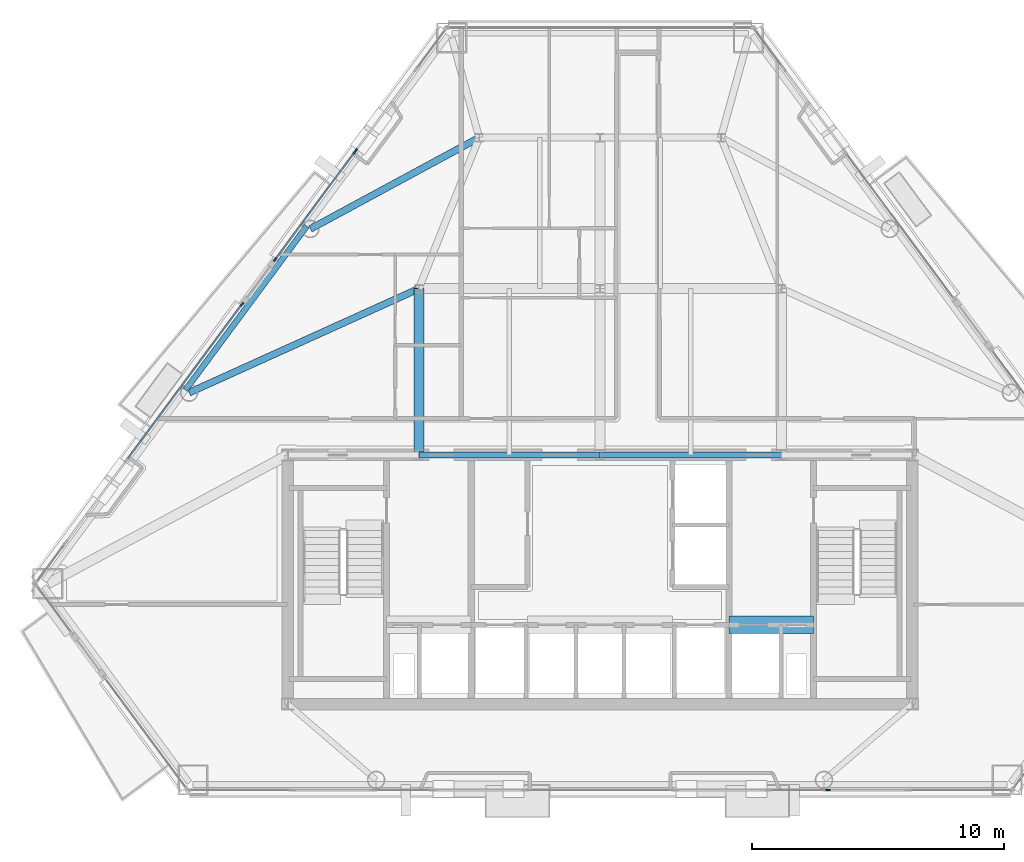
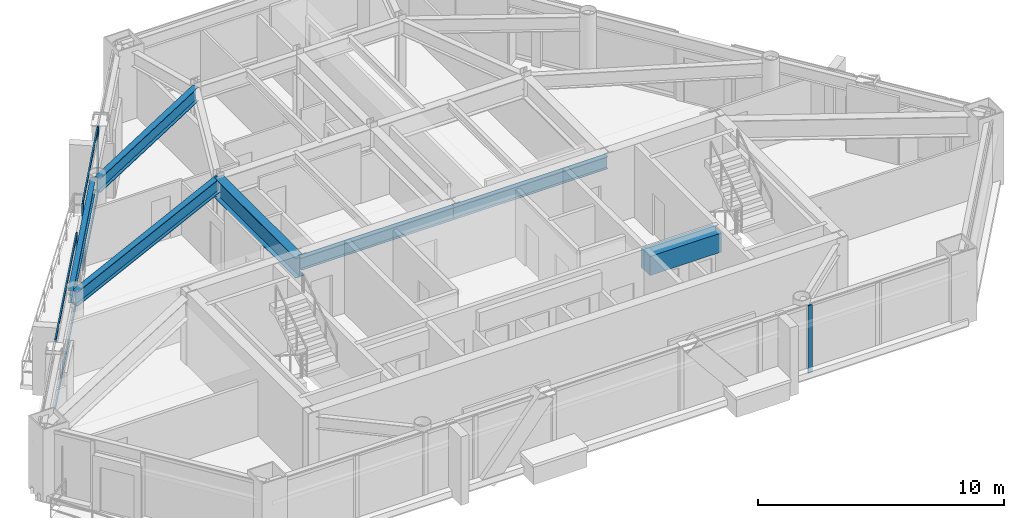
# One storey, part 4 of 13: 9 members, 7 beams, 4 elements without a shape of their own.
"""IFC4 building model written with IfcOpenShell, lengths in metres."""

from ifc_helpers import new_model, si_unit, direction, frame, origin, origin_2d, place, context, subcontext, project, spatial, rectangle, i_section, extrude, material, layer, layer_set, material_profile, profile_set, type_object, element, aggregate, save


model = new_model("IFC4")

# Units and contexts
model_context = context("Model", 3, precision=1e-05, world=origin(), true_north=direction((0.0, 1.0)))
body_context = subcontext(model_context, "Body", "Model", "MODEL_VIEW")
ifc_project = project(units=[si_unit("LENGTHUNIT", "METRE"), si_unit("AREAUNIT", "SQUARE_METRE"), si_unit("VOLUMEUNIT", "CUBIC_METRE"), si_unit("PLANEANGLEUNIT", "RADIAN"), si_unit("MASSUNIT", "GRAM", prefix="KILO")], contexts=[model_context])

# Site, building, storey
site_placement = place(None, origin())
site = spatial("IfcSite", under=ifc_project, at=site_placement, CompositionType="ELEMENT")
building_placement = place(site_placement, origin())
building = spatial("IfcBuilding", under=site, at=building_placement, Name="Talgorran Terracotta Tower", CompositionType="ELEMENT")
storey_placement = place(building_placement, frame((0.0, 0.0, 106.800048828125)))
storey = spatial("IfcBuildingStorey", under=building, at=storey_placement, Name="L27", CompositionType="ELEMENT", Elevation=106.800048828125)

# Beams
ifc_material_1 = material(Name="Steel Grade 350 (350L0)", Category="steel")
ifc_material_profile_1 = material_profile(ifc_material_1, i_section(OverallWidth=0.39990234375, OverallDepth=1.0, WebThickness=0.01611328125, FlangeThickness=0.031005859375, at=origin_2d()), Name="1000WB296")
ifc_profile_set_1 = profile_set([ifc_material_profile_1], Name="Steel Grade 350 (350L0)")
beam_type_1 = type_object("IfcBeamType", Name="BM_1000WB296", PredefinedType="BEAM", material=ifc_profile_set_1)
beam_1_placement = place(storey_placement, frame((-7.199951171875, -4.199951171875, 2.849853515625), z_axis=(0.0, 1.0, 0.0), x_axis=(-1.0, 0.0, 0.0)))
element("IfcBeam", 1, at=beam_1_placement, inside=storey, type_object=beam_type_1, Name="L27 Floor Girder G01", PredefinedType="BEAM", context=body_context, shape_type="SweptSolid", body=[
    extrude(i_section(OverallWidth=0.39990234375, OverallDepth=1.0, WebThickness=0.01611328125, FlangeThickness=0.031005859375, at=origin_2d()), origin(), (0.0, 0.0, 1.0), 6.599853515625),
])
ifc_material_2 = material(Name="Steel S355 (300PLUS)", Category="steel")
ifc_material_profile_2 = material_profile(ifc_material_2, i_section(OverallWidth=0.27490234375, OverallDepth=0.7080078125, WebThickness=0.011962890625, FlangeThickness=0.02490234375, at=origin_2d()), Name="700WB173")
ifc_profile_set_2 = profile_set([ifc_material_profile_2], Name="Steel S355 (300PLUS)")
beam_type_2 = type_object("IfcBeamType", Name="BM_700WB173", PredefinedType="BEAM", material=ifc_profile_set_2)
beam_2_placement = place(storey_placement, frame((-7.199951171875, 2.39990234375, 2.995849609375), z_axis=(-0.910987725051, -0.412433467126, 0.0), x_axis=(0.412433467126, -0.910987725051, 0.0)))
element("IfcBeam", 2, at=beam_2_placement, inside=storey, type_object=beam_type_2, Name="L27 Floor Girder G06", PredefinedType="BEAM", context=body_context, shape_type="SweptSolid", body=[
    extrude(i_section(OverallWidth=0.27490234375, OverallDepth=0.7080078125, WebThickness=0.011962890625, FlangeThickness=0.02490234375, at=origin_2d()), origin(), (0.0, 0.0, 1.0), 10.010009765625),
])
beam_3_placement = place(storey_placement, frame((-4.800048828125, 8.39990234375, 2.995849609375), z_axis=(-0.879686234895, -0.475554548013, 0.0), x_axis=(0.475554548013, -0.879686234895, 0.0)))
element("IfcBeam", 3, at=beam_3_placement, inside=storey, type_object=beam_type_2, Name="L27 Floor Girder G13", PredefinedType="BEAM", context=body_context, shape_type="SweptSolid", body=[
    extrude(i_section(OverallWidth=0.27490234375, OverallDepth=0.7080078125, WebThickness=0.011962890625, FlangeThickness=0.02490234375, at=origin_2d()), origin(), (0.0, 0.0, 1.0), 7.62255859375),
])
ifc_material_3 = material(Name="Concrete C65/80", Category="concrete")
ifc_material_profile_3 = material_profile(ifc_material_3, rectangle(XDim=0.699951171875, YDim=0.949951171875, at=origin_2d()), Name="RCCB700X950")
ifc_profile_set_3 = profile_set([ifc_material_profile_3], Name="Concrete C65/80")
beam_type_3 = type_object("IfcBeamType", Name="BM_CB_700X950", PredefinedType="LINTEL", material=ifc_profile_set_3)
beam_4_placement = place(storey_placement, frame((5.1201171875, -10.949951171875, 2.875), z_axis=(1.0, 0.0, 0.0), x_axis=(0.0, 1.0, 0.0)))
element("IfcBeam", 4, at=beam_4_placement, inside=storey, type_object=beam_type_3, Name="L27 Core Shear-Wall Coupling Beam CB3", PredefinedType="LINTEL", context=body_context, shape_type="SweptSolid", body=[
    extrude(rectangle(XDim=0.699951171875, YDim=0.949951171875, at=origin_2d()), origin(), (0.0, 0.0, 1.0), 3.35986328125),
])
ifc_material_profile_4 = material_profile(ifc_material_2, i_section(OverallWidth=0.22900390625, OverallDepth=0.611572265625, WebThickness=0.011962890625, FlangeThickness=0.01953125, at=origin_2d()), Name="610UB125")
ifc_profile_set_4 = profile_set([ifc_material_profile_4], Name="Steel S355 (300PLUS)")
beam_type_4 = type_object("IfcBeamType", Name="BM_SP_610UB125", PredefinedType="SPANDREL", material=ifc_profile_set_4)
beam_5_placement = place(storey_placement, frame((-11.650146484375, 4.882080078125, 3.044189453125), z_axis=(-0.594899157913, -0.803800343316, 0.0), x_axis=(0.803800343316, -0.594899157913, 0.0)))
element("IfcBeam", 5, at=beam_5_placement, inside=storey, type_object=beam_type_4, Name="L27 Perimeter Spandrel Beam FC5-FC6", PredefinedType="SPANDREL", context=body_context, shape_type="SweptSolid", body=[
    extrude(i_section(OverallWidth=0.22900390625, OverallDepth=0.611572265625, WebThickness=0.011962890625, FlangeThickness=0.01953125, at=origin_2d()), origin(), (0.0, 0.0, 1.0), 8.0908203125),
])
for number, where, z_axis, x_axis, name in (
    (6, (-7.199951171875, -4.199951171875, 3.044189453125), (1.0, 0.0, 0.0), (0.0, 1.0, 0.0), "L27 Core Frame Beam CFN2"),
    (7, (0.0, -4.199951171875, 3.044189453125), (1.0, 0.0, 0.0), (0.0, 1.0, 0.0), "L27 Core Frame Beam CFN3"),
):
    element("IfcBeam", number, at=place(storey_placement, frame(where, z_axis=z_axis, x_axis=x_axis)), inside=storey, type_object=beam_type_4, Name=name, PredefinedType="SPANDREL", context=body_context, shape_type="SweptSolid", body=[
        extrude(i_section(OverallWidth=0.22900390625, OverallDepth=0.611572265625, WebThickness=0.011962890625, FlangeThickness=0.01953125, at=origin_2d()), origin(), (0.0, 0.0, 1.0), 7.199951171875),
    ])

# Curtain wall, member
ifc_material_4 = material(Name="Unitised Low-E Double Glazing", Category="glass")
ifc_layer = layer(ifc_material_4, 0.199951171875, Name="CW_SYS2_RES_LOW")
ifc_layer_set = layer_set([ifc_layer], Name="Unitised Low-E Double Glazing")
curtain_wall_type = type_object("IfcCurtainWallType", Name="CW_SYS2_RES_LOW", PredefinedType="NOTDEFINED", material=ifc_layer_set)
curtain_wall_1_placement = place(storey_placement, origin())
curtain_wall_1 = element("IfcCurtainWall", 8, at=curtain_wall_1_placement, inside=storey, type_object=curtain_wall_type, Name="CW-L27-F1H", PredefinedType="NOTDEFINED")
ifc_material_5 = material(Name="Architectural Aluminium 6063-T6", Category="aluminium")
ifc_material_profile_5 = material_profile(ifc_material_5, rectangle(XDim=0.06494140625, YDim=0.18505859375, at=origin_2d()), Name="CWM65X185")
ifc_profile_set_5 = profile_set([ifc_material_profile_5], Name="Architectural Aluminium 6063-T6")
member_type_1 = type_object("IfcMemberType", Name="MUL_65X185", PredefinedType="MULLION", material=ifc_profile_set_5)
member_1_placement = place(storey_placement, frame((9.046142578125, -17.5078125, 0.0), z_axis=(0.0, 0.0, 1.0), x_axis=(0.0, 1.0, 0.0)))
member_1 = element("IfcMember", 9, at=member_1_placement, type_object=member_type_1, Name="CW-L27-1H mullion 1", PredefinedType="MULLION", context=body_context, shape_type="SweptSolid", body=[
    extrude(rectangle(XDim=0.06494140625, YDim=0.18505859375, at=origin_2d()), origin(), (0.0, 0.0, 1.0), 3.349853515625),
])
aggregate(curtain_wall_1, [member_1])

curtain_wall_2_placement = place(storey_placement, origin())
curtain_wall_2 = element("IfcCurtainWall", 10, at=curtain_wall_2_placement, inside=storey, type_object=curtain_wall_type, Name="CW-L27-F60B", PredefinedType="NOTDEFINED")
member_2_placement = place(storey_placement, frame((-9.703857421875, 7.88134765625, 0.0), z_axis=(0.0, 0.0, 1.0), x_axis=(0.803791980442, -0.594910457276, 0.0)))
member_2 = element("IfcMember", 11, at=member_2_placement, type_object=member_type_1, Name="CW-L27-60B mullion 2", PredefinedType="MULLION", context=body_context, shape_type="SweptSolid", body=[
    extrude(rectangle(XDim=0.06494140625, YDim=0.18505859375, at=origin_2d()), origin(), (0.0, 0.0, 1.0), 3.349853515625),
])
aggregate(curtain_wall_2, [member_2])

# Curtain wall, members
curtain_wall_3_placement = place(storey_placement, origin())
curtain_wall_3 = element("IfcCurtainWall", 12, at=curtain_wall_3_placement, inside=storey, type_object=curtain_wall_type, Name="CW-L27-F60C", PredefinedType="NOTDEFINED")
member_3_placement = place(storey_placement, frame((-9.74853515625, 7.821044921875, 0.0), z_axis=(0.0, 0.0, 1.0), x_axis=(0.803791618413, -0.594910946419, 0.0)))
member_3 = element("IfcMember", 13, at=member_3_placement, type_object=member_type_1, Name="CW-L27-60C mullion 1", PredefinedType="MULLION", context=body_context, shape_type="SweptSolid", body=[
    extrude(rectangle(XDim=0.06494140625, YDim=0.18505859375, at=origin_2d()), origin(), (0.0, 0.0, 1.0), 3.349853515625),
])
member_4_placement = place(storey_placement, frame((-12.90087890625, 3.56201171875, 0.0), z_axis=(0.0, 0.0, 1.0), x_axis=(0.803791618413, -0.594910946419, 0.0)))
member_4 = element("IfcMember", 14, at=member_4_placement, type_object=member_type_1, Name="CW-L27-60C mullion 2", PredefinedType="MULLION", context=body_context, shape_type="SweptSolid", body=[
    extrude(rectangle(XDim=0.06494140625, YDim=0.18505859375, at=origin_2d()), origin(), (0.0, 0.0, 1.0), 3.349853515625),
])

# Curtain wall, member
curtain_wall_4_placement = place(storey_placement, origin())
curtain_wall_4 = element("IfcCurtainWall", 15, at=curtain_wall_4_placement, inside=storey, type_object=curtain_wall_type, Name="CW-L27-F61", PredefinedType="NOTDEFINED")
member_5_placement = place(storey_placement, frame((-14.224609375, 1.7734375, 0.0), z_axis=(0.0, 0.0, 1.0), x_axis=(0.803792121414, -0.594910266807, 0.0)))
member_5 = element("IfcMember", 16, at=member_5_placement, type_object=member_type_1, Name="CW-L27-61 mullion 1", PredefinedType="MULLION", context=body_context, shape_type="SweptSolid", body=[
    extrude(rectangle(XDim=0.06494140625, YDim=0.18505859375, at=origin_2d()), origin(), (0.0, 0.0, 1.0), 3.349853515625),
])

# Member
ifc_material_profile_6 = material_profile(ifc_material_5, rectangle(XDim=0.06494140625, YDim=0.14990234375, at=origin_2d()), Name="CWT65X150")
ifc_profile_set_6 = profile_set([ifc_material_profile_6], Name="Architectural Aluminium 6063-T6")
member_type_2 = type_object("IfcMemberType", Name="TRN_65X150", PredefinedType="USERDEFINED", material=ifc_profile_set_6)
member_6_placement = place(storey_placement, frame((-9.767822265625, 7.794921875, 0.032470703125), z_axis=(-0.59493523442, -0.803773641547, 0.0), x_axis=(0.803773641547, -0.59493523442, 0.0)))
member_6 = element("IfcMember", 17, at=member_6_placement, type_object=member_type_2, Name="CW-L27-60C transom 1.1", ObjectType="TRANSOM", PredefinedType="USERDEFINED", context=body_context, shape_type="SweptSolid", body=[
    extrude(rectangle(XDim=0.06494140625, YDim=0.14990234375, at=origin_2d()), origin(), (0.0, 0.0, 1.0), 5.23388671875),
])

member_7_placement = place(storey_placement, frame((-9.767822265625, 7.794921875, 3.3173828125), z_axis=(-0.59493523442, -0.803773641547, 0.0), x_axis=(0.803773641547, -0.59493523442, 0.0)))
member_7 = element("IfcMember", 18, at=member_7_placement, type_object=member_type_2, Name="CW-L27-60C transom 1.2", ObjectType="TRANSOM", PredefinedType="USERDEFINED", context=body_context, shape_type="SweptSolid", body=[
    extrude(rectangle(XDim=0.06494140625, YDim=0.14990234375, at=origin_2d()), origin(), (0.0, 0.0, 1.0), 5.23388671875),
])

aggregate(curtain_wall_3, [member_3, member_4, member_6, member_7])

member_8_placement = place(storey_placement, frame((-14.243896484375, 1.747314453125, 0.032470703125), z_axis=(-0.594918398417, -0.803786102906, 0.0), x_axis=(0.803786102906, -0.594918398417, 0.0)))
member_8 = element("IfcMember", 19, at=member_8_placement, type_object=member_type_2, Name="CW-L27-61 transom 1.1", ObjectType="TRANSOM", PredefinedType="USERDEFINED", context=body_context, shape_type="SweptSolid", body=[
    extrude(rectangle(XDim=0.06494140625, YDim=0.14990234375, at=origin_2d()), origin(), (0.0, 0.0, 1.0), 7.57421875),
])

member_9_placement = place(storey_placement, frame((-14.243896484375, 1.747314453125, 3.3173828125), z_axis=(-0.594918398417, -0.803786102906, 0.0), x_axis=(0.803786102906, -0.594918398417, 0.0)))
member_9 = element("IfcMember", 20, at=member_9_placement, type_object=member_type_2, Name="CW-L27-61 transom 1.2", ObjectType="TRANSOM", PredefinedType="USERDEFINED", context=body_context, shape_type="SweptSolid", body=[
    extrude(rectangle(XDim=0.06494140625, YDim=0.14990234375, at=origin_2d()), origin(), (0.0, 0.0, 1.0), 7.57421875),
])

aggregate(curtain_wall_4, [member_5, member_8, member_9])

save(model, "model.ifc")
